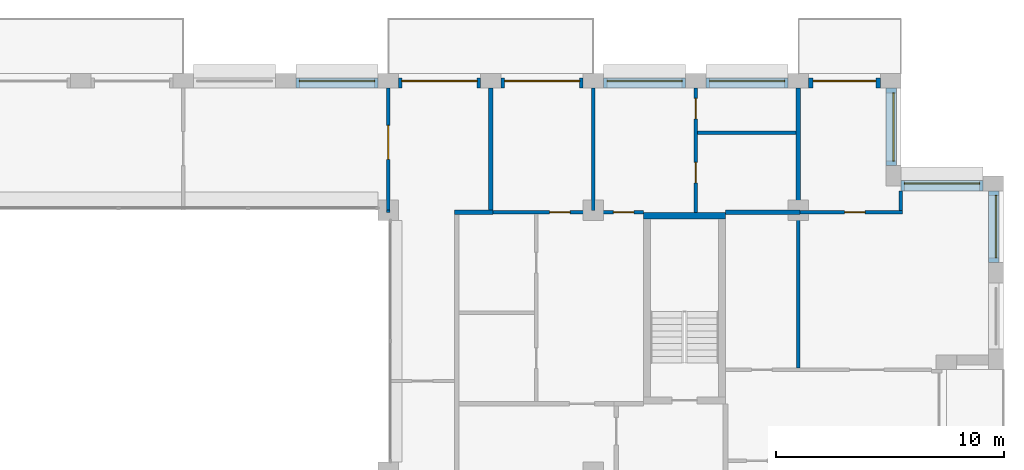
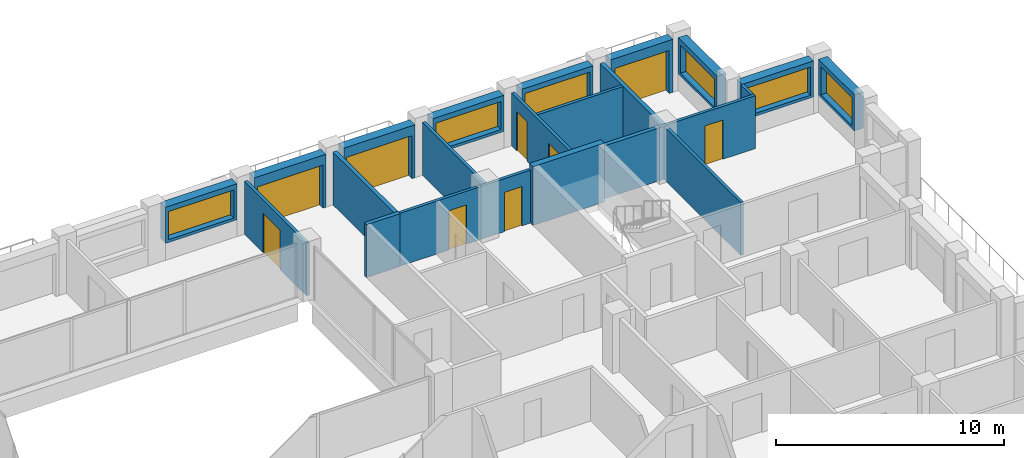
# One storey, part 14 of 16: 23 walls, 9 doors, 6 windows, 15 openings.
"""IFC4 building model written with IfcOpenShell, lengths in metres."""

from ifc_helpers import new_model, si_unit, direction, frame, frame_2d, origin, place, context, subcontext, project, spatial, rectangle, extrude, material, layer, layer_set, type_object, element, fill, save


model = new_model("IFC4")

# Units and contexts
model_context = context("Model", 3, precision=1e-05, world=origin(), true_north=direction((0.0, 1.0)))
body_context = subcontext(model_context, "Body", "Model", "MODEL_VIEW")
ifc_project = project(units=[si_unit("LENGTHUNIT", "METRE"), si_unit("AREAUNIT", "SQUARE_METRE"), si_unit("VOLUMEUNIT", "CUBIC_METRE"), si_unit("PLANEANGLEUNIT", "RADIAN"), si_unit("MASSUNIT", "GRAM", prefix="KILO")], contexts=[model_context])

# Site, building, storey
site_placement = place(None, origin())
site = spatial("IfcSite", under=ifc_project, at=site_placement, CompositionType="ELEMENT")
building_placement = place(site_placement, origin())
building = spatial("IfcBuilding", under=site, at=building_placement, Name="Brigalow Station Residences", CompositionType="ELEMENT")
storey_placement = place(building_placement, frame((0.0, 0.0, 201.14990234375)))
storey = spatial("IfcBuildingStorey", under=building, at=storey_placement, Name="L57", CompositionType="ELEMENT", Elevation=201.14990234375)

# Wall, opening, window
ifc_material_1 = material(Name="Clay brick masonry", Category="masonry")
ifc_layer_1 = layer(ifc_material_1, 0.449951171875)
ifc_layer_set_1 = layer_set([ifc_layer_1], Name="BRICK INFILL WALL 450")
wall_type_1 = type_object("IfcWallType", Name="BRICK INFILL WALL 450", PredefinedType="SOLIDWALL", material=ifc_layer_set_1)
wall_1_placement = place(storey_placement, frame((71.574951171875, 33.199951171875, 0.900146484375), z_axis=(0.0, 0.0, 1.0), x_axis=(0.0, 1.0, 0.0)))
wall_1 = element("IfcWall", 1, at=wall_1_placement, inside=storey, type_object=wall_type_1, Name="L57/ewall/W-L57-17", PredefinedType="SOLIDWALL", context=body_context, shape_type="SweptSolid", body=[
    extrude(rectangle(XDim=3.150146484375, YDim=0.449951171875, at=frame_2d((1.5751953125, 0.0))), origin(), (0.0, 0.0, 1.0), 1.929931640625),
])
opening_1_placement = place(wall_1_placement, frame((0.199951171875, 0.0, 0.14990234375)))
opening_1 = element("IfcOpeningElement", 2, at=opening_1_placement, cuts=wall_1, Name="Opening WT-3", PredefinedType="OPENING", context=body_context, shape_type="SweptSolid", body=[
    extrude(rectangle(XDim=2.75, YDim=1.5, at=frame_2d((1.375, 0.75))), frame((0.0, 0.23486328125, 0.0), z_axis=(0.0, -1.0, 0.0), x_axis=(1.0, 0.0, 0.0)), (0.0, 0.0, 1.0), 0.469970703125),
])
ifc_material_2 = material(Name="Anodised aluminium frame with double glazing", Category="aluminium")
window_type_1 = type_object("IfcWindowType", Name="WINDOW 2750x1500", PartitioningType="SINGLE_PANEL", PredefinedType="WINDOW", material=ifc_material_2)
window_1_placement = place(opening_1_placement, origin())
window_1 = element("IfcWindow", 3, at=window_1_placement, inside=storey, type_object=window_type_1, Name="L57/window/W-L57-17", OverallHeight=1.5, OverallWidth=2.75, PartitioningType="SINGLE_PANEL", PredefinedType="WINDOW", context=body_context, shape_type="SweptSolid", body=[
    extrude(rectangle(XDim=2.75, YDim=1.5, at=frame_2d((1.375, 0.75))), frame((0.0, -0.06494140625, 0.0), z_axis=(0.0, -1.0, 0.0), x_axis=(1.0, 0.0, 0.0)), (0.0, 0.0, 1.0), 0.06005859375),
])
fill(opening_1, window_1)

wall_2_placement = place(storey_placement, frame((71.10009765625, 36.574951171875, 0.900146484375), z_axis=(0.0, 0.0, 1.0), x_axis=(-1.0, 0.0, 0.0)))
wall_2 = element("IfcWall", 4, at=wall_2_placement, inside=storey, type_object=wall_type_1, Name="L57/ewall/W-L57-18", PredefinedType="SOLIDWALL", context=body_context, shape_type="SweptSolid", body=[
    extrude(rectangle(XDim=3.60009765625, YDim=0.449951171875, at=frame_2d((1.800048828125, 0.0))), origin(), (0.0, 0.0, 1.0), 1.929931640625),
])
opening_2_placement = place(wall_2_placement, frame((0.14990234375, 0.0, 0.14990234375)))
opening_2 = element("IfcOpeningElement", 5, at=opening_2_placement, cuts=wall_2, Name="Opening WT-10", PredefinedType="OPENING", context=body_context, shape_type="SweptSolid", body=[
    extrude(rectangle(XDim=3.300048828125, YDim=1.5, at=frame_2d((1.64990234375, 0.75))), frame((0.0, 0.23486328125, 0.0), z_axis=(0.0, -1.0, 0.0), x_axis=(1.0, 0.0, 0.0)), (0.0, 0.0, 1.0), 0.469970703125),
])
ifc_material_3 = material(Name="Anodised aluminium frame with double glazing", Category="aluminium")
window_type_2 = type_object("IfcWindowType", Name="WINDOW 3300x1500", PartitioningType="SINGLE_PANEL", PredefinedType="WINDOW", material=ifc_material_3)
window_2_placement = place(opening_2_placement, origin())
window_2 = element("IfcWindow", 6, at=window_2_placement, inside=storey, type_object=window_type_2, Name="L57/window/W-L57-18", OverallHeight=1.5, OverallWidth=3.300048828125, PartitioningType="SINGLE_PANEL", PredefinedType="WINDOW", context=body_context, shape_type="SweptSolid", body=[
    extrude(rectangle(XDim=3.300048828125, YDim=1.5, at=frame_2d((1.64990234375, 0.75))), frame((0.0, -0.06494140625, 0.0), z_axis=(0.0, -1.0, 0.0), x_axis=(1.0, 0.0, 0.0)), (0.0, 0.0, 1.0), 0.06005859375),
])
fill(opening_2, window_2)

wall_3_placement = place(storey_placement, frame((67.074951171875, 37.449951171875, 0.900146484375), z_axis=(0.0, 0.0, 1.0), x_axis=(0.0, 1.0, 0.0)))
wall_3 = element("IfcWall", 7, at=wall_3_placement, inside=storey, type_object=wall_type_1, Name="L57/ewall/W-L57-19", PredefinedType="SOLIDWALL", context=body_context, shape_type="SweptSolid", body=[
    extrude(rectangle(XDim=3.400146484375, YDim=0.449951171875, at=frame_2d((1.7001953125, 0.0))), origin(), (0.0, 0.0, 1.0), 1.929931640625),
])
opening_3_placement = place(wall_3_placement, frame((0.199951171875, 0.0, 0.14990234375)))
opening_3 = element("IfcOpeningElement", 8, at=opening_3_placement, cuts=wall_3, Name="Opening WT-2", PredefinedType="OPENING", context=body_context, shape_type="SweptSolid", body=[
    extrude(rectangle(XDim=3.0, YDim=1.5, at=frame_2d((1.5, 0.75))), frame((0.0, 0.23486328125, 0.0), z_axis=(0.0, -1.0, 0.0), x_axis=(1.0, 0.0, 0.0)), (0.0, 0.0, 1.0), 0.469970703125),
])
ifc_material_4 = material(Name="Anodised aluminium frame with double glazing", Category="aluminium")
window_type_3 = type_object("IfcWindowType", Name="WINDOW 3000x1500", PartitioningType="SINGLE_PANEL", PredefinedType="WINDOW", material=ifc_material_4)
window_3_placement = place(opening_3_placement, origin())
window_3 = element("IfcWindow", 9, at=window_3_placement, inside=storey, type_object=window_type_3, Name="L57/window/W-L57-19", OverallHeight=1.5, OverallWidth=3.0, PartitioningType="SINGLE_PANEL", PredefinedType="WINDOW", context=body_context, shape_type="SweptSolid", body=[
    extrude(rectangle(XDim=3.0, YDim=1.5, at=frame_2d((1.5, 0.75))), frame((0.0, -0.06494140625, 0.0), z_axis=(0.0, -1.0, 0.0), x_axis=(1.0, 0.0, 0.0)), (0.0, 0.0, 1.0), 0.06005859375),
])
fill(opening_3, window_3)

# Wall, opening, door
wall_4_placement = place(storey_placement, frame((66.60009765625, 41.074951171875, 0.0), z_axis=(0.0, 0.0, 1.0), x_axis=(-1.0, 0.0, 0.0)))
wall_4 = element("IfcWall", 10, at=wall_4_placement, inside=storey, type_object=wall_type_1, Name="L57/ewall/W-L57-20", PredefinedType="SOLIDWALL", context=body_context, shape_type="SweptSolid", body=[
    extrude(rectangle(XDim=3.150146484375, YDim=0.449951171875, at=frame_2d((1.5751953125, 0.0))), origin(), (0.0, 0.0, 1.0), 2.830078125),
])
opening_4_placement = place(wall_4_placement, frame((0.199951171875, 0.0, 0.0)))
opening_4 = element("IfcOpeningElement", 11, at=opening_4_placement, cuts=wall_4, Name="Opening D-B2750", PredefinedType="OPENING", context=body_context, shape_type="SweptSolid", body=[
    extrude(rectangle(XDim=2.75, YDim=2.300048828125, at=frame_2d((1.375, 1.14990234375))), frame((0.0, 0.23486328125, 0.0), z_axis=(0.0, -1.0, 0.0), x_axis=(1.0, 0.0, 0.0)), (0.0, 0.0, 1.0), 0.469970703125),
])
ifc_material_5 = material(Name="Anodised aluminium frame with double glazing", Category="aluminium")
door_type_1 = type_object("IfcDoorType", Name="BALCONY SLIDING DOOR 2750x2300", OperationType="SLIDING_TO_LEFT", PredefinedType="DOOR", material=ifc_material_5)
door_1_placement = place(opening_4_placement, origin())
door_1 = element("IfcDoor", 12, at=door_1_placement, inside=storey, type_object=door_type_1, Name="L57/balcony-door/W-L57-20", OperationType="SLIDING_TO_LEFT", OverallHeight=2.300048828125, OverallWidth=2.75, PredefinedType="DOOR", context=body_context, shape_type="SweptSolid", body=[
    extrude(rectangle(XDim=2.75, YDim=2.300048828125, at=frame_2d((1.375, 1.14990234375))), frame((0.0, -0.06982421875, 0.0), z_axis=(0.0, -1.0, 0.0), x_axis=(1.0, 0.0, 0.0)), (0.0, 0.0, 1.0), 0.050048828125),
])
fill(opening_4, door_1)

# Wall, opening, window
wall_5_placement = place(storey_placement, frame((62.550048828125, 41.074951171875, 0.900146484375), z_axis=(0.0, 0.0, 1.0), x_axis=(-1.0, 0.0, 0.0)))
wall_5 = element("IfcWall", 13, at=wall_5_placement, inside=storey, type_object=wall_type_1, Name="L57/ewall/W-L57-21", PredefinedType="SOLIDWALL", context=body_context, shape_type="SweptSolid", body=[
    extrude(rectangle(XDim=3.60009765625, YDim=0.449951171875, at=frame_2d((1.800048828125, 0.0))), origin(), (0.0, 0.0, 1.0), 1.929931640625),
])
opening_5_placement = place(wall_5_placement, frame((0.14990234375, 0.0, 0.14990234375)))
opening_5 = element("IfcOpeningElement", 14, at=opening_5_placement, cuts=wall_5, Name="Opening WT-10", PredefinedType="OPENING", context=body_context, shape_type="SweptSolid", body=[
    extrude(rectangle(XDim=3.300048828125, YDim=1.5, at=frame_2d((1.64990234375, 0.75))), frame((0.0, 0.23486328125, 0.0), z_axis=(0.0, -1.0, 0.0), x_axis=(1.0, 0.0, 0.0)), (0.0, 0.0, 1.0), 0.469970703125),
])
window_4_placement = place(opening_5_placement, origin())
window_4 = element("IfcWindow", 15, at=window_4_placement, inside=storey, type_object=window_type_2, Name="L57/window/W-L57-21", OverallHeight=1.5, OverallWidth=3.300048828125, PartitioningType="SINGLE_PANEL", PredefinedType="WINDOW", context=body_context, shape_type="SweptSolid", body=[
    extrude(rectangle(XDim=3.300048828125, YDim=1.5, at=frame_2d((1.64990234375, 0.75))), frame((0.0, -0.06494140625, 0.0), z_axis=(0.0, -1.0, 0.0), x_axis=(1.0, 0.0, 0.0)), (0.0, 0.0, 1.0), 0.06005859375),
])
fill(opening_5, window_4)

wall_6_placement = place(storey_placement, frame((58.050048828125, 41.074951171875, 0.900146484375), z_axis=(0.0, 0.0, 1.0), x_axis=(-1.0, 0.0, 0.0)))
wall_6 = element("IfcWall", 16, at=wall_6_placement, inside=storey, type_object=wall_type_1, Name="L57/ewall/W-L57-22", PredefinedType="SOLIDWALL", context=body_context, shape_type="SweptSolid", body=[
    extrude(rectangle(XDim=3.60009765625, YDim=0.449951171875, at=frame_2d((1.800048828125, 0.0))), origin(), (0.0, 0.0, 1.0), 1.929931640625),
])
opening_6_placement = place(wall_6_placement, frame((0.14990234375, 0.0, 0.14990234375)))
opening_6 = element("IfcOpeningElement", 17, at=opening_6_placement, cuts=wall_6, Name="Opening WT-10", PredefinedType="OPENING", context=body_context, shape_type="SweptSolid", body=[
    extrude(rectangle(XDim=3.300048828125, YDim=1.5, at=frame_2d((1.64990234375, 0.75))), frame((0.0, 0.23486328125, 0.0), z_axis=(0.0, -1.0, 0.0), x_axis=(1.0, 0.0, 0.0)), (0.0, 0.0, 1.0), 0.469970703125),
])
window_5_placement = place(opening_6_placement, origin())
window_5 = element("IfcWindow", 18, at=window_5_placement, inside=storey, type_object=window_type_2, Name="L57/window/W-L57-22", OverallHeight=1.5, OverallWidth=3.300048828125, PartitioningType="SINGLE_PANEL", PredefinedType="WINDOW", context=body_context, shape_type="SweptSolid", body=[
    extrude(rectangle(XDim=3.300048828125, YDim=1.5, at=frame_2d((1.64990234375, 0.75))), frame((0.0, -0.06494140625, 0.0), z_axis=(0.0, -1.0, 0.0), x_axis=(1.0, 0.0, 0.0)), (0.0, 0.0, 1.0), 0.06005859375),
])
fill(opening_6, window_5)

# Wall, opening, door
wall_7_placement = place(storey_placement, frame((53.550048828125, 41.074951171875, 0.0), z_axis=(0.0, 0.0, 1.0), x_axis=(-1.0, 0.0, 0.0)))
wall_7 = element("IfcWall", 19, at=wall_7_placement, inside=storey, type_object=wall_type_1, Name="L57/ewall/W-L57-23", PredefinedType="SOLIDWALL", context=body_context, shape_type="SweptSolid", body=[
    extrude(rectangle(XDim=3.60009765625, YDim=0.449951171875, at=frame_2d((1.800048828125, 0.0))), origin(), (0.0, 0.0, 1.0), 2.830078125),
])
opening_7_placement = place(wall_7_placement, frame((0.14990234375, 0.0, 0.0)))
opening_7 = element("IfcOpeningElement", 20, at=opening_7_placement, cuts=wall_7, Name="Opening D-B3300", PredefinedType="OPENING", context=body_context, shape_type="SweptSolid", body=[
    extrude(rectangle(XDim=3.300048828125, YDim=2.300048828125, at=frame_2d((1.64990234375, 1.14990234375))), frame((0.0, 0.23486328125, 0.0), z_axis=(0.0, -1.0, 0.0), x_axis=(1.0, 0.0, 0.0)), (0.0, 0.0, 1.0), 0.469970703125),
])
ifc_material_6 = material(Name="Anodised aluminium frame with double glazing", Category="aluminium")
door_type_2 = type_object("IfcDoorType", Name="BALCONY SLIDING DOOR 3300x2300", OperationType="SLIDING_TO_LEFT", PredefinedType="DOOR", material=ifc_material_6)
door_2_placement = place(opening_7_placement, origin())
door_2 = element("IfcDoor", 21, at=door_2_placement, inside=storey, type_object=door_type_2, Name="L57/balcony-door/W-L57-23", OperationType="SLIDING_TO_LEFT", OverallHeight=2.300048828125, OverallWidth=3.300048828125, PredefinedType="DOOR", context=body_context, shape_type="SweptSolid", body=[
    extrude(rectangle(XDim=3.300048828125, YDim=2.300048828125, at=frame_2d((1.64990234375, 1.14990234375))), frame((0.0, -0.06982421875, 0.0), z_axis=(0.0, -1.0, 0.0), x_axis=(1.0, 0.0, 0.0)), (0.0, 0.0, 1.0), 0.050048828125),
])
fill(opening_7, door_2)

wall_8_placement = place(storey_placement, frame((49.050048828125, 41.074951171875, 0.0), z_axis=(0.0, 0.0, 1.0), x_axis=(-1.0, 0.0, 0.0)))
wall_8 = element("IfcWall", 22, at=wall_8_placement, inside=storey, type_object=wall_type_1, Name="L57/ewall/W-L57-24", PredefinedType="SOLIDWALL", context=body_context, shape_type="SweptSolid", body=[
    extrude(rectangle(XDim=3.60009765625, YDim=0.449951171875, at=frame_2d((1.800048828125, 0.0))), origin(), (0.0, 0.0, 1.0), 2.830078125),
])
opening_8_placement = place(wall_8_placement, frame((0.14990234375, 0.0, 0.0)))
opening_8 = element("IfcOpeningElement", 23, at=opening_8_placement, cuts=wall_8, Name="Opening D-B3300", PredefinedType="OPENING", context=body_context, shape_type="SweptSolid", body=[
    extrude(rectangle(XDim=3.300048828125, YDim=2.300048828125, at=frame_2d((1.64990234375, 1.14990234375))), frame((0.0, 0.23486328125, 0.0), z_axis=(0.0, -1.0, 0.0), x_axis=(1.0, 0.0, 0.0)), (0.0, 0.0, 1.0), 0.469970703125),
])
door_3_placement = place(opening_8_placement, origin())
door_3 = element("IfcDoor", 24, at=door_3_placement, inside=storey, type_object=door_type_2, Name="L57/balcony-door/W-L57-24", OperationType="SLIDING_TO_LEFT", OverallHeight=2.300048828125, OverallWidth=3.300048828125, PredefinedType="DOOR", context=body_context, shape_type="SweptSolid", body=[
    extrude(rectangle(XDim=3.300048828125, YDim=2.300048828125, at=frame_2d((1.64990234375, 1.14990234375))), frame((0.0, -0.06982421875, 0.0), z_axis=(0.0, -1.0, 0.0), x_axis=(1.0, 0.0, 0.0)), (0.0, 0.0, 1.0), 0.050048828125),
])
fill(opening_8, door_3)

# Wall, opening, window
wall_9_placement = place(storey_placement, frame((44.550048828125, 41.074951171875, 0.900146484375), z_axis=(0.0, 0.0, 1.0), x_axis=(-1.0, 0.0, 0.0)))
wall_9 = element("IfcWall", 25, at=wall_9_placement, inside=storey, type_object=wall_type_1, Name="L57/ewall/W-L57-25", PredefinedType="SOLIDWALL", context=body_context, shape_type="SweptSolid", body=[
    extrude(rectangle(XDim=3.60009765625, YDim=0.449951171875, at=frame_2d((1.800048828125, 0.0))), origin(), (0.0, 0.0, 1.0), 1.929931640625),
])
opening_9_placement = place(wall_9_placement, frame((0.14990234375, 0.0, 0.14990234375)))
opening_9 = element("IfcOpeningElement", 26, at=opening_9_placement, cuts=wall_9, Name="Opening WT-10", PredefinedType="OPENING", context=body_context, shape_type="SweptSolid", body=[
    extrude(rectangle(XDim=3.300048828125, YDim=1.5, at=frame_2d((1.64990234375, 0.75))), frame((0.0, 0.23486328125, 0.0), z_axis=(0.0, -1.0, 0.0), x_axis=(1.0, 0.0, 0.0)), (0.0, 0.0, 1.0), 0.469970703125),
])
window_6_placement = place(opening_9_placement, origin())
window_6 = element("IfcWindow", 27, at=window_6_placement, inside=storey, type_object=window_type_2, Name="L57/window/W-L57-25", OverallHeight=1.5, OverallWidth=3.300048828125, PartitioningType="SINGLE_PANEL", PredefinedType="WINDOW", context=body_context, shape_type="SweptSolid", body=[
    extrude(rectangle(XDim=3.300048828125, YDim=1.5, at=frame_2d((1.64990234375, 0.75))), frame((0.0, -0.06494140625, 0.0), z_axis=(0.0, -1.0, 0.0), x_axis=(1.0, 0.0, 0.0)), (0.0, 0.0, 1.0), 0.06005859375),
])
fill(opening_9, window_6)

# Wall
ifc_material_7 = material(Name="Concrete C50", Category="concrete")
ifc_layer_2 = layer(ifc_material_7, 0.300048828125)
ifc_layer_set_2 = layer_set([ifc_layer_2], Name="CORE SHEAR WALL 300 C50")
wall_type_2 = type_object("IfcWallType", Name="CORE SHEAR WALL 300 C50", PredefinedType="SHEAR", material=ifc_layer_set_2)
wall_10_placement = place(storey_placement, frame((56.199951171875, 35.25, 0.0), z_axis=(0.0, 0.0, 1.0), x_axis=(1.0, 0.0, 0.0)))
element("IfcWall", 28, at=wall_10_placement, inside=storey, type_object=wall_type_2, Name="CORE WALL ST-S3-N L57", PredefinedType="SHEAR", context=body_context, shape_type="SweptSolid", body=[
    extrude(rectangle(XDim=3.60009765625, YDim=0.300048828125, at=frame_2d((1.800048828125, 0.0))), origin(), (0.0, 0.0, 1.0), 3.150146484375),
])

# Wall, openings, doors
ifc_material_8 = material(Name="Plasterboard on steel stud partition", Category="steel")
ifc_layer_3 = layer(ifc_material_8, 0.14990234375)
ifc_layer_set_3 = layer_set([ifc_layer_3], Name="FLAT PARTITION 150")
wall_type_3 = type_object("IfcWallType", Name="FLAT PARTITION 150", PredefinedType="PARTITIONING", material=ifc_layer_set_3)
wall_11_placement = place(storey_placement, frame((49.39990234375, 35.39990234375, 0.0), z_axis=(0.0, 0.0, 1.0), x_axis=(1.0, 0.0, 0.0)))
wall_11 = element("IfcWall", 29, at=wall_11_placement, inside=storey, type_object=wall_type_3, Name="PW-4A21", PredefinedType="PARTITIONING", context=body_context, shape_type="SweptSolid", body=[
    extrude(rectangle(XDim=6.800048828125, YDim=0.14990234375, at=frame_2d((3.39990234375, 0.0))), origin(), (0.0, 0.0, 1.0), 2.830078125),
])
opening_10_placement = place(wall_11_placement, frame((2.675048828125, 0.0, 0.0)))
opening_10 = element("IfcOpeningElement", 30, at=opening_10_placement, cuts=wall_11, Name="Opening D-4A27", PredefinedType="OPENING", context=body_context, shape_type="SweptSolid", body=[
    extrude(rectangle(XDim=0.89990234375, YDim=2.10009765625, at=frame_2d((0.449951171875, 1.050048828125))), frame((0.0, 0.0849609375, 0.0), z_axis=(0.0, -1.0, 0.0), x_axis=(1.0, 0.0, 0.0)), (0.0, 0.0, 1.0), 0.169921875),
])
opening_11_placement = place(wall_11_placement, frame((5.47509765625, 0.0, 0.0)))
opening_11 = element("IfcOpeningElement", 31, at=opening_11_placement, cuts=wall_11, Name="Opening D-4A28", PredefinedType="OPENING", context=body_context, shape_type="SweptSolid", body=[
    extrude(rectangle(XDim=0.89990234375, YDim=2.10009765625, at=frame_2d((0.449951171875, 1.050048828125))), frame((0.0, 0.0849609375, 0.0), z_axis=(0.0, -1.0, 0.0), x_axis=(1.0, 0.0, 0.0)), (0.0, 0.0, 1.0), 0.169921875),
])
ifc_material_9 = material(Name="Solid-core timber door leaf", Category="wood")
door_type_3 = type_object("IfcDoorType", Name="INTERNAL DOOR 900 x 2100", OperationType="SINGLE_SWING_LEFT", PredefinedType="DOOR", material=ifc_material_9)
door_4_placement = place(opening_10_placement, origin())
door_4 = element("IfcDoor", 32, at=door_4_placement, inside=storey, type_object=door_type_3, Name="D-4A27", OperationType="SINGLE_SWING_RIGHT", OverallHeight=2.10009765625, OverallWidth=0.89990234375, PredefinedType="DOOR", context=body_context, shape_type="SweptSolid", body=[
    extrude(rectangle(XDim=0.89990234375, YDim=2.10009765625, at=frame_2d((0.449951171875, 1.050048828125))), frame((0.0, 0.02490234375, 0.0), z_axis=(0.0, -1.0, 0.0), x_axis=(1.0, 0.0, 0.0)), (0.0, 0.0, 1.0), 0.050048828125),
])
fill(opening_10, door_4)
door_5_placement = place(opening_11_placement, origin())
door_5 = element("IfcDoor", 33, at=door_5_placement, inside=storey, type_object=door_type_3, Name="D-4A28", OperationType="SINGLE_SWING_LEFT", OverallHeight=2.10009765625, OverallWidth=0.89990234375, PredefinedType="DOOR", context=body_context, shape_type="SweptSolid", body=[
    extrude(rectangle(XDim=0.89990234375, YDim=2.10009765625, at=frame_2d((0.449951171875, 1.050048828125))), frame((0.0, 0.02490234375, 0.0), z_axis=(0.0, -1.0, 0.0), x_axis=(1.0, 0.0, 0.0)), (0.0, 0.0, 1.0), 0.050048828125),
])
fill(opening_11, door_5)

# Wall, opening, door
wall_12_placement = place(storey_placement, frame((62.925048828125, 35.39990234375, 0.0), z_axis=(0.0, 0.0, 1.0), x_axis=(1.0, 0.0, 0.0)))
wall_12 = element("IfcWall", 34, at=wall_12_placement, inside=storey, type_object=wall_type_3, Name="PW-4A22", PredefinedType="PARTITIONING", context=body_context, shape_type="SweptSolid", body=[
    extrude(rectangle(XDim=4.64990234375, YDim=0.14990234375, at=frame_2d((2.324951171875, 0.0))), origin(), (0.0, 0.0, 1.0), 2.830078125),
])
opening_12_placement = place(wall_12_placement, frame((2.10009765625, 0.0, 0.0)))
opening_12 = element("IfcOpeningElement", 35, at=opening_12_placement, cuts=wall_12, Name="Opening D-4A46", PredefinedType="OPENING", context=body_context, shape_type="SweptSolid", body=[
    extrude(rectangle(XDim=0.89990234375, YDim=2.10009765625, at=frame_2d((0.449951171875, 1.050048828125))), frame((0.0, 0.0849609375, 0.0), z_axis=(0.0, -1.0, 0.0), x_axis=(1.0, 0.0, 0.0)), (0.0, 0.0, 1.0), 0.169921875),
])
door_6_placement = place(opening_12_placement, origin())
door_6 = element("IfcDoor", 36, at=door_6_placement, inside=storey, type_object=door_type_3, Name="D-4A46", OperationType="SINGLE_SWING_RIGHT", OverallHeight=2.10009765625, OverallWidth=0.89990234375, PredefinedType="DOOR", context=body_context, shape_type="SweptSolid", body=[
    extrude(rectangle(XDim=0.89990234375, YDim=2.10009765625, at=frame_2d((0.449951171875, 1.050048828125))), frame((0.0, 0.02490234375, 0.0), z_axis=(0.0, -1.0, 0.0), x_axis=(1.0, 0.0, 0.0)), (0.0, 0.0, 1.0), 0.050048828125),
])
fill(opening_12, door_6)

# Walls
wall_13_placement = place(storey_placement, frame((58.574951171875, 38.89990234375, 0.0), z_axis=(0.0, 0.0, 1.0), x_axis=(1.0, 0.0, 0.0)))
element("IfcWall", 37, at=wall_13_placement, inside=storey, type_object=wall_type_3, Name="PW-4A28", PredefinedType="PARTITIONING", context=body_context, shape_type="SweptSolid", body=[
    extrude(rectangle(XDim=4.324951171875, YDim=0.14990234375, at=frame_2d((2.16259765625, 0.0))), origin(), (0.0, 0.0, 1.0), 2.830078125),
])
wall_14_placement = place(storey_placement, frame((54.0, 35.47509765625, 0.0), z_axis=(0.0, 0.0, 1.0), x_axis=(0.0, 1.0, 0.0)))
element("IfcWall", 38, at=wall_14_placement, inside=storey, type_object=wall_type_3, Name="PW-4A35", PredefinedType="PARTITIONING", context=body_context, shape_type="SweptSolid", body=[
    extrude(rectangle(XDim=5.375, YDim=0.14990234375, at=frame_2d((2.6875, 0.0))), origin(), (0.0, 0.0, 1.0), 2.830078125),
])
wall_15_placement = place(storey_placement, frame((45.0, 35.39990234375, 0.0), z_axis=(0.0, 0.0, 1.0), x_axis=(0.0, 1.0, 0.0)))
element("IfcWall", 39, at=wall_15_placement, inside=storey, type_object=wall_type_3, Name="PW-4A49", PredefinedType="PARTITIONING", context=body_context, shape_type="SweptSolid", body=[
    extrude(rectangle(XDim=0.10009765625, YDim=0.14990234375, at=frame_2d((0.050048828125, 0.0))), origin(), (0.0, 0.0, 1.0), 2.830078125),
])

# Wall, opening, door
wall_16_placement = place(storey_placement, frame((45.0, 35.5, 0.0), z_axis=(0.0, 0.0, 1.0), x_axis=(0.0, 1.0, 0.0)))
wall_16 = element("IfcWall", 40, at=wall_16_placement, inside=storey, type_object=wall_type_3, Name="PW-4A50", PredefinedType="PARTITIONING", context=body_context, shape_type="SweptSolid", body=[
    extrude(rectangle(XDim=5.35009765625, YDim=0.14990234375, at=frame_2d((2.675048828125, 0.0))), origin(), (0.0, 0.0, 1.0), 2.830078125),
])
opening_13_placement = place(wall_16_placement, frame((2.22509765625, 0.0, 0.0)))
opening_13 = element("IfcOpeningElement", 41, at=opening_13_placement, cuts=wall_16, Name="Opening D-4A22", PredefinedType="OPENING", context=body_context, shape_type="SweptSolid", body=[
    extrude(rectangle(XDim=1.5, YDim=2.10009765625, at=frame_2d((0.75, 1.050048828125))), frame((0.0, 0.0849609375, 0.0), z_axis=(0.0, -1.0, 0.0), x_axis=(1.0, 0.0, 0.0)), (0.0, 0.0, 1.0), 0.169921875),
])
ifc_material_10 = material(Name="Solid-core timber door leaf", Category="wood")
door_type_4 = type_object("IfcDoorType", Name="INTERNAL DOUBLE DOOR 1500 x 2100", OperationType="DOUBLE_DOOR_SINGLE_SWING", PredefinedType="DOOR", material=ifc_material_10)
door_7_placement = place(opening_13_placement, frame((1.5, 0.0, 0.0), z_axis=(0.0, 0.0, 1.0), x_axis=(-1.0, 0.0, 0.0)))
door_7 = element("IfcDoor", 42, at=door_7_placement, inside=storey, type_object=door_type_4, Name="D-4A22", OperationType="DOUBLE_DOOR_SINGLE_SWING", OverallHeight=2.10009765625, OverallWidth=1.5, PredefinedType="DOOR", context=body_context, shape_type="SweptSolid", body=[
    extrude(rectangle(XDim=1.5, YDim=2.10009765625, at=frame_2d((0.75, 1.050048828125))), frame((0.0, 0.02490234375, 0.0), z_axis=(0.0, -1.0, 0.0), x_axis=(1.0, 0.0, 0.0)), (0.0, 0.0, 1.0), 0.050048828125),
])
fill(opening_13, door_7)

# Wall, openings, doors
wall_17_placement = place(storey_placement, frame((58.5, 35.39990234375, 0.0), z_axis=(0.0, 0.0, 1.0), x_axis=(0.0, 1.0, 0.0)))
wall_17 = element("IfcWall", 43, at=wall_17_placement, inside=storey, type_object=wall_type_3, Name="PW-4A56", PredefinedType="PARTITIONING", context=body_context, shape_type="SweptSolid", body=[
    extrude(rectangle(XDim=5.4501953125, YDim=0.14990234375, at=frame_2d((2.72509765625, 0.0))), origin(), (0.0, 0.0, 1.0), 2.830078125),
])
opening_14_placement = place(wall_17_placement, frame((1.300048828125, 0.0, 0.0)))
opening_14 = element("IfcOpeningElement", 44, at=opening_14_placement, cuts=wall_17, Name="Opening D-4A29", PredefinedType="OPENING", context=body_context, shape_type="SweptSolid", body=[
    extrude(rectangle(XDim=0.89990234375, YDim=2.10009765625, at=frame_2d((0.449951171875, 1.050048828125))), frame((0.0, 0.0849609375, 0.0), z_axis=(0.0, -1.0, 0.0), x_axis=(1.0, 0.0, 0.0)), (0.0, 0.0, 1.0), 0.169921875),
])
opening_15_placement = place(wall_17_placement, frame((4.10009765625, 0.0, 0.0)))
opening_15 = element("IfcOpeningElement", 45, at=opening_15_placement, cuts=wall_17, Name="Opening D-4A30", PredefinedType="OPENING", context=body_context, shape_type="SweptSolid", body=[
    extrude(rectangle(XDim=0.89990234375, YDim=2.10009765625, at=frame_2d((0.449951171875, 1.050048828125))), frame((0.0, 0.0849609375, 0.0), z_axis=(0.0, -1.0, 0.0), x_axis=(1.0, 0.0, 0.0)), (0.0, 0.0, 1.0), 0.169921875),
])
door_8_placement = place(opening_14_placement, frame((0.89990234375, 0.0, 0.0), z_axis=(0.0, 0.0, 1.0), x_axis=(-1.0, 0.0, 0.0)))
door_8 = element("IfcDoor", 46, at=door_8_placement, inside=storey, type_object=door_type_3, Name="D-4A29", OperationType="SINGLE_SWING_LEFT", OverallHeight=2.10009765625, OverallWidth=0.89990234375, PredefinedType="DOOR", context=body_context, shape_type="SweptSolid", body=[
    extrude(rectangle(XDim=0.89990234375, YDim=2.10009765625, at=frame_2d((0.449951171875, 1.050048828125))), frame((0.0, 0.02490234375, 0.0), z_axis=(0.0, -1.0, 0.0), x_axis=(1.0, 0.0, 0.0)), (0.0, 0.0, 1.0), 0.050048828125),
])
fill(opening_14, door_8)
door_9_placement = place(opening_15_placement, frame((0.89990234375, 0.0, 0.0), z_axis=(0.0, 0.0, 1.0), x_axis=(-1.0, 0.0, 0.0)))
door_9 = element("IfcDoor", 47, at=door_9_placement, inside=storey, type_object=door_type_3, Name="D-4A30", OperationType="SINGLE_SWING_LEFT", OverallHeight=2.10009765625, OverallWidth=0.89990234375, PredefinedType="DOOR", context=body_context, shape_type="SweptSolid", body=[
    extrude(rectangle(XDim=0.89990234375, YDim=2.10009765625, at=frame_2d((0.449951171875, 1.050048828125))), frame((0.0, 0.02490234375, 0.0), z_axis=(0.0, -1.0, 0.0), x_axis=(1.0, 0.0, 0.0)), (0.0, 0.0, 1.0), 0.050048828125),
])
fill(opening_15, door_9)

# Walls
wall_18_placement = place(storey_placement, frame((63.0, 28.574951171875, 0.0), z_axis=(0.0, 0.0, 1.0), x_axis=(0.0, 1.0, 0.0)))
element("IfcWall", 48, at=wall_18_placement, inside=storey, type_object=wall_type_3, Name="PW-4A60", PredefinedType="PARTITIONING", context=body_context, shape_type="SweptSolid", body=[
    extrude(rectangle(XDim=6.75, YDim=0.14990234375, at=frame_2d((3.375, 0.0))), origin(), (0.0, 0.0, 1.0), 2.830078125),
])
wall_19_placement = place(storey_placement, frame((67.5, 35.47509765625, 0.0), z_axis=(0.0, 0.0, 1.0), x_axis=(0.0, 1.0, 0.0)))
element("IfcWall", 49, at=wall_19_placement, inside=storey, type_object=wall_type_3, Name="PW-4A63", PredefinedType="PARTITIONING", context=body_context, shape_type="SweptSolid", body=[
    extrude(rectangle(XDim=0.875, YDim=0.14990234375, at=frame_2d((0.4375, 0.0))), origin(), (0.0, 0.0, 1.0), 2.830078125),
])
ifc_material_11 = material(Name="Plasterboard on steel stud partition", Category="steel")
ifc_layer_4 = layer(ifc_material_11, 0.199951171875)
ifc_layer_set_4 = layer_set([ifc_layer_4], Name="PARTY AND CORRIDOR WALL 200")
wall_type_4 = type_object("IfcWallType", Name="PARTY AND CORRIDOR WALL 200", PredefinedType="PARTITIONING", material=ifc_layer_set_4)
wall_20_placement = place(storey_placement, frame((47.89990234375, 35.39990234375, 0.0), z_axis=(0.0, 0.0, 1.0), x_axis=(1.0, 0.0, 0.0)))
element("IfcWall", 50, at=wall_20_placement, inside=storey, type_object=wall_type_4, Name="PW-4A23", PredefinedType="PARTITIONING", context=body_context, shape_type="SweptSolid", body=[
    extrude(rectangle(XDim=1.7001953125, YDim=0.199951171875, at=frame_2d((0.85009765625, 0.0))), origin(), (0.0, 0.0, 1.0), 2.830078125),
])
wall_21_placement = place(storey_placement, frame((59.800048828125, 35.39990234375, 0.0), z_axis=(0.0, 0.0, 1.0), x_axis=(1.0, 0.0, 0.0)))
element("IfcWall", 51, at=wall_21_placement, inside=storey, type_object=wall_type_4, Name="PW-4A24", PredefinedType="PARTITIONING", context=body_context, shape_type="SweptSolid", body=[
    extrude(rectangle(XDim=3.27490234375, YDim=0.199951171875, at=frame_2d((1.637451171875, 0.0))), origin(), (0.0, 0.0, 1.0), 2.830078125),
])
for number, where, z_axis, x_axis, name in (
    (52, (49.5, 35.47509765625, 0.0), (0.0, 0.0, 1.0), (0.0, 1.0, 0.0), "PW-4A51"),
    (53, (63.0, 35.47509765625, 0.0), (0.0, 0.0, 1.0), (0.0, 1.0, 0.0), "PW-4A61"),
):
    element("IfcWall", number, at=place(storey_placement, frame(where, z_axis=z_axis, x_axis=x_axis)), inside=storey, type_object=wall_type_4, Name=name, PredefinedType="PARTITIONING", context=body_context, shape_type="SweptSolid", body=[
        extrude(rectangle(XDim=5.375, YDim=0.199951171875, at=frame_2d((2.6875, 0.0))), origin(), (0.0, 0.0, 1.0), 2.830078125),
    ])

save(model, "model.ifc")
